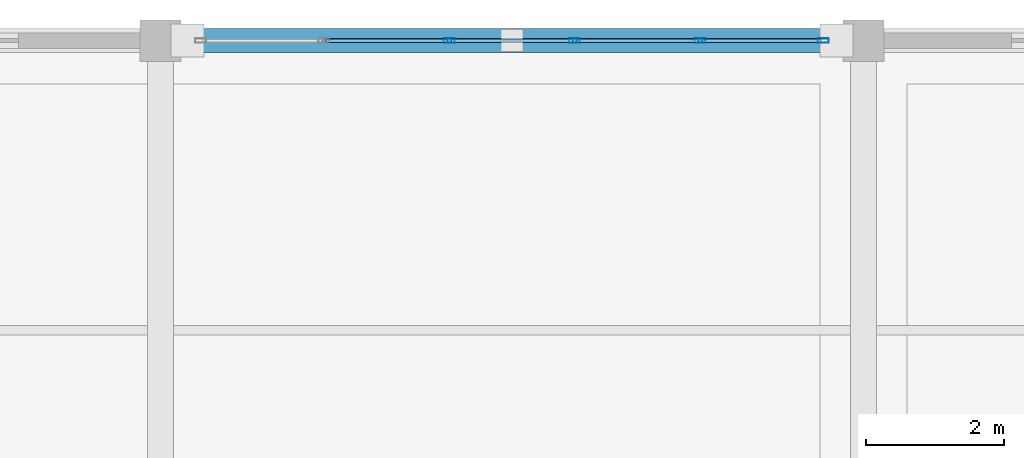
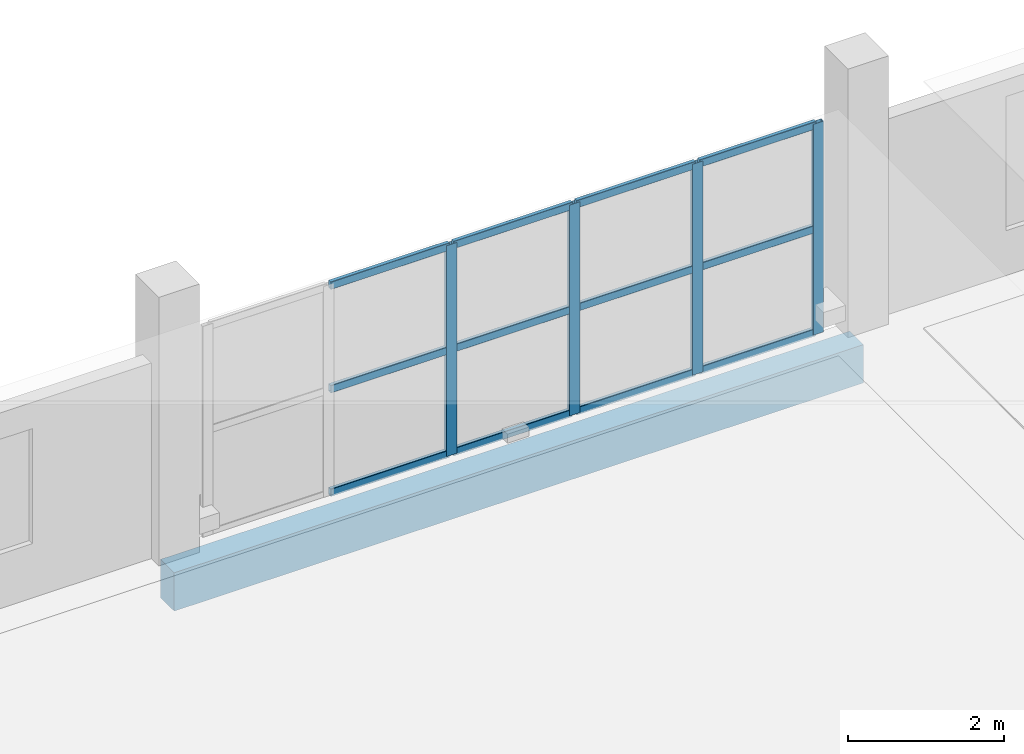
# One storey, part 15 of 24: 16 members, 1 beam, 1 element without a shape of its own.
"""IFC4 building model written with IfcOpenShell, lengths in metres."""

from ifc_helpers import new_model, si_unit, direction, frame, origin, origin_2d, place, context, subcontext, project, spatial, rectangle, hollow_rectangle, extrude, material, material_profile, profile_set, type_object, element, aggregate, save


model = new_model("IFC4")

# Units and contexts
model_context = context("Model", 3, precision=1e-05, world=origin(), true_north=direction((0.0, 1.0)))
body_context = subcontext(model_context, "Body", "Model", "MODEL_VIEW")
ifc_project = project(units=[si_unit("LENGTHUNIT", "METRE"), si_unit("AREAUNIT", "SQUARE_METRE"), si_unit("VOLUMEUNIT", "CUBIC_METRE"), si_unit("PLANEANGLEUNIT", "RADIAN"), si_unit("MASSUNIT", "GRAM", prefix="KILO")], contexts=[model_context])

# Site, building, storey
site_placement = place(None, origin())
site = spatial("IfcSite", under=ifc_project, at=site_placement, CompositionType="ELEMENT")
building_placement = place(site_placement, origin())
building = spatial("IfcBuilding", under=site, at=building_placement, Name="Brelvane Convention Centre", CompositionType="ELEMENT")
storey_placement = place(building_placement, frame((0.0, 0.0, 19.199951171875)))
storey = spatial("IfcBuildingStorey", under=building, at=storey_placement, Name="L04", CompositionType="ELEMENT", Elevation=19.199951171875)

# Curtain wall, members
ifc_material_1 = material(Name="Anodised Aluminium Alloy 6063-T6", Category="aluminium")
curtain_wall_type = type_object("IfcCurtainWallType", Name="Curtain Wall CW-BOUL", PredefinedType="USERDEFINED", material=ifc_material_1)
curtain_wall_placement = place(storey_placement, origin())
curtain_wall = element("IfcCurtainWall", 1, at=curtain_wall_placement, inside=storey, type_object=curtain_wall_type, Name="Curtain Wall CW-BOUL L04-V4N-06", ObjectType="UNITISED", PredefinedType="USERDEFINED")
ifc_material_2 = material(Name="Anodised Aluminium Alloy 6063-T6", Category="aluminium")
ifc_material_profile_1 = material_profile(ifc_material_2, hollow_rectangle(XDim=0.06494140625, YDim=0.159912109375, WallThickness=0.00390625, InnerFilletRadius=0.00390625, OuterFilletRadius=0.008056640625, at=origin_2d()), Name="ALU-M 160x65x4.0")
ifc_profile_set_1 = profile_set([ifc_material_profile_1], Name="Anodised Aluminium Alloy 6063-T6")
member_type_1 = type_object("IfcMemberType", Name="Curtain Mullion CW-M3", PredefinedType="MULLION", material=ifc_profile_set_1)
member_1_placement = place(storey_placement, frame((55.18994140625, 144.0, 0.0), z_axis=(0.0, 0.0, 1.0), x_axis=(0.0, 1.0, 0.0)))
member_1 = element("IfcMember", 2, at=member_1_placement, type_object=member_type_1, Name="CW-BOUL mullion 3", PredefinedType="MULLION", context=body_context, shape_type="SweptSolid", body=[
    extrude(hollow_rectangle(XDim=0.06494140625, YDim=0.159912109375, WallThickness=0.00390625, InnerFilletRadius=0.00390625, OuterFilletRadius=0.008056640625, at=origin_2d()), origin(), (0.0, 0.0, 1.0), 3.300048828125),
])
member_2_placement = place(storey_placement, frame((57.010009765625, 144.0, 0.0), z_axis=(0.0, 0.0, 1.0), x_axis=(0.0, 1.0, 0.0)))
member_2 = element("IfcMember", 3, at=member_2_placement, type_object=member_type_1, Name="CW-BOUL mullion 4", PredefinedType="MULLION", context=body_context, shape_type="SweptSolid", body=[
    extrude(hollow_rectangle(XDim=0.06494140625, YDim=0.159912109375, WallThickness=0.00390625, InnerFilletRadius=0.00390625, OuterFilletRadius=0.008056640625, at=origin_2d()), origin(), (0.0, 0.0, 1.0), 3.300048828125),
])
member_3_placement = place(storey_placement, frame((58.830078125, 144.0, 0.0), z_axis=(0.0, 0.0, 1.0), x_axis=(0.0, 1.0, 0.0)))
member_3 = element("IfcMember", 4, at=member_3_placement, type_object=member_type_1, Name="CW-BOUL mullion 5", PredefinedType="MULLION", context=body_context, shape_type="SweptSolid", body=[
    extrude(hollow_rectangle(XDim=0.06494140625, YDim=0.159912109375, WallThickness=0.00390625, InnerFilletRadius=0.00390625, OuterFilletRadius=0.008056640625, at=origin_2d()), origin(), (0.0, 0.0, 1.0), 3.300048828125),
])
member_4_placement = place(storey_placement, frame((60.617431640625, 144.0, 0.0), z_axis=(0.0, 0.0, 1.0), x_axis=(0.0, 1.0, 0.0)))
member_4 = element("IfcMember", 5, at=member_4_placement, type_object=member_type_1, Name="CW-BOUL mullion 6", PredefinedType="MULLION", context=body_context, shape_type="SweptSolid", body=[
    extrude(hollow_rectangle(XDim=0.06494140625, YDim=0.159912109375, WallThickness=0.00390625, InnerFilletRadius=0.00390625, OuterFilletRadius=0.008056640625, at=origin_2d()), origin(), (0.0, 0.0, 1.0), 3.300048828125),
])
ifc_material_3 = material(Name="Anodised Aluminium Alloy 6063-T6", Category="aluminium")
ifc_material_profile_2 = material_profile(ifc_material_3, hollow_rectangle(XDim=0.06005859375, YDim=0.1201171875, WallThickness=0.00390625, InnerFilletRadius=0.00390625, OuterFilletRadius=0.008056640625, at=origin_2d()), Name="ALU-T 120x60x4.0")
ifc_profile_set_2 = profile_set([ifc_material_profile_2], Name="Anodised Aluminium Alloy 6063-T6")
member_type_2 = type_object("IfcMemberType", Name="Curtain Transom CW-T3", PredefinedType="USERDEFINED", material=ifc_profile_set_2)
member_5_placement = place(storey_placement, frame((53.402587890625, 144.0, 0.030029296875), z_axis=(1.0, 0.0, 0.0), x_axis=(0.0, 1.0, 0.0)))
member_5 = element("IfcMember", 6, at=member_5_placement, type_object=member_type_2, Name="CW-BOUL transom 2.1", ObjectType="TRANSOM", PredefinedType="USERDEFINED", context=body_context, shape_type="SweptSolid", body=[
    extrude(hollow_rectangle(XDim=0.06005859375, YDim=0.1201171875, WallThickness=0.00390625, InnerFilletRadius=0.00390625, OuterFilletRadius=0.008056640625, at=origin_2d()), origin(), (0.0, 0.0, 1.0), 1.7548828125),
])
member_6_placement = place(storey_placement, frame((53.402587890625, 144.0, 1.650146484375), z_axis=(1.0, 0.0, 0.0), x_axis=(0.0, 1.0, 0.0)))
member_6 = element("IfcMember", 7, at=member_6_placement, type_object=member_type_2, Name="CW-BOUL transom 2.2", ObjectType="TRANSOM", PredefinedType="USERDEFINED", context=body_context, shape_type="SweptSolid", body=[
    extrude(hollow_rectangle(XDim=0.06005859375, YDim=0.1201171875, WallThickness=0.00390625, InnerFilletRadius=0.00390625, OuterFilletRadius=0.008056640625, at=origin_2d()), origin(), (0.0, 0.0, 1.0), 1.7548828125),
])
member_7_placement = place(storey_placement, frame((53.402587890625, 144.0, 3.27001953125), z_axis=(1.0, 0.0, 0.0), x_axis=(0.0, 1.0, 0.0)))
member_7 = element("IfcMember", 8, at=member_7_placement, type_object=member_type_2, Name="CW-BOUL transom 2.3", ObjectType="TRANSOM", PredefinedType="USERDEFINED", context=body_context, shape_type="SweptSolid", body=[
    extrude(hollow_rectangle(XDim=0.06005859375, YDim=0.1201171875, WallThickness=0.00390625, InnerFilletRadius=0.00390625, OuterFilletRadius=0.008056640625, at=origin_2d()), origin(), (0.0, 0.0, 1.0), 1.7548828125),
])
member_8_placement = place(storey_placement, frame((55.222412109375, 144.0, 0.030029296875), z_axis=(1.0, 0.0, 0.0), x_axis=(0.0, 1.0, 0.0)))
member_8 = element("IfcMember", 9, at=member_8_placement, type_object=member_type_2, Name="CW-BOUL transom 3.1", ObjectType="TRANSOM", PredefinedType="USERDEFINED", context=body_context, shape_type="SweptSolid", body=[
    extrude(hollow_rectangle(XDim=0.06005859375, YDim=0.1201171875, WallThickness=0.00390625, InnerFilletRadius=0.00390625, OuterFilletRadius=0.008056640625, at=origin_2d()), origin(), (0.0, 0.0, 1.0), 1.755126953125),
])
member_9_placement = place(storey_placement, frame((55.222412109375, 144.0, 1.650146484375), z_axis=(1.0, 0.0, 0.0), x_axis=(0.0, 1.0, 0.0)))
member_9 = element("IfcMember", 10, at=member_9_placement, type_object=member_type_2, Name="CW-BOUL transom 3.2", ObjectType="TRANSOM", PredefinedType="USERDEFINED", context=body_context, shape_type="SweptSolid", body=[
    extrude(hollow_rectangle(XDim=0.06005859375, YDim=0.1201171875, WallThickness=0.00390625, InnerFilletRadius=0.00390625, OuterFilletRadius=0.008056640625, at=origin_2d()), origin(), (0.0, 0.0, 1.0), 1.755126953125),
])
member_10_placement = place(storey_placement, frame((55.222412109375, 144.0, 3.27001953125), z_axis=(1.0, 0.0, 0.0), x_axis=(0.0, 1.0, 0.0)))
member_10 = element("IfcMember", 11, at=member_10_placement, type_object=member_type_2, Name="CW-BOUL transom 3.3", ObjectType="TRANSOM", PredefinedType="USERDEFINED", context=body_context, shape_type="SweptSolid", body=[
    extrude(hollow_rectangle(XDim=0.06005859375, YDim=0.1201171875, WallThickness=0.00390625, InnerFilletRadius=0.00390625, OuterFilletRadius=0.008056640625, at=origin_2d()), origin(), (0.0, 0.0, 1.0), 1.755126953125),
])
member_11_placement = place(storey_placement, frame((57.04248046875, 144.0, 0.030029296875), z_axis=(1.0, 0.0, 0.0), x_axis=(0.0, 1.0, 0.0)))
member_11 = element("IfcMember", 12, at=member_11_placement, type_object=member_type_2, Name="CW-BOUL transom 4.1", ObjectType="TRANSOM", PredefinedType="USERDEFINED", context=body_context, shape_type="SweptSolid", body=[
    extrude(hollow_rectangle(XDim=0.06005859375, YDim=0.1201171875, WallThickness=0.00390625, InnerFilletRadius=0.00390625, OuterFilletRadius=0.008056640625, at=origin_2d()), origin(), (0.0, 0.0, 1.0), 1.755126953125),
])
member_12_placement = place(storey_placement, frame((57.04248046875, 144.0, 1.650146484375), z_axis=(1.0, 0.0, 0.0), x_axis=(0.0, 1.0, 0.0)))
member_12 = element("IfcMember", 13, at=member_12_placement, type_object=member_type_2, Name="CW-BOUL transom 4.2", ObjectType="TRANSOM", PredefinedType="USERDEFINED", context=body_context, shape_type="SweptSolid", body=[
    extrude(hollow_rectangle(XDim=0.06005859375, YDim=0.1201171875, WallThickness=0.00390625, InnerFilletRadius=0.00390625, OuterFilletRadius=0.008056640625, at=origin_2d()), origin(), (0.0, 0.0, 1.0), 1.755126953125),
])
member_13_placement = place(storey_placement, frame((57.04248046875, 144.0, 3.27001953125), z_axis=(1.0, 0.0, 0.0), x_axis=(0.0, 1.0, 0.0)))
member_13 = element("IfcMember", 14, at=member_13_placement, type_object=member_type_2, Name="CW-BOUL transom 4.3", ObjectType="TRANSOM", PredefinedType="USERDEFINED", context=body_context, shape_type="SweptSolid", body=[
    extrude(hollow_rectangle(XDim=0.06005859375, YDim=0.1201171875, WallThickness=0.00390625, InnerFilletRadius=0.00390625, OuterFilletRadius=0.008056640625, at=origin_2d()), origin(), (0.0, 0.0, 1.0), 1.755126953125),
])
member_14_placement = place(storey_placement, frame((58.862548828125, 144.0, 0.030029296875), z_axis=(1.0, 0.0, 0.0), x_axis=(0.0, 1.0, 0.0)))
member_14 = element("IfcMember", 15, at=member_14_placement, type_object=member_type_2, Name="CW-BOUL transom 5.1", ObjectType="TRANSOM", PredefinedType="USERDEFINED", context=body_context, shape_type="SweptSolid", body=[
    extrude(hollow_rectangle(XDim=0.06005859375, YDim=0.1201171875, WallThickness=0.00390625, InnerFilletRadius=0.00390625, OuterFilletRadius=0.008056640625, at=origin_2d()), origin(), (0.0, 0.0, 1.0), 1.722412109375),
])
member_15_placement = place(storey_placement, frame((58.862548828125, 144.0, 1.650146484375), z_axis=(1.0, 0.0, 0.0), x_axis=(0.0, 1.0, 0.0)))
member_15 = element("IfcMember", 16, at=member_15_placement, type_object=member_type_2, Name="CW-BOUL transom 5.2", ObjectType="TRANSOM", PredefinedType="USERDEFINED", context=body_context, shape_type="SweptSolid", body=[
    extrude(hollow_rectangle(XDim=0.06005859375, YDim=0.1201171875, WallThickness=0.00390625, InnerFilletRadius=0.00390625, OuterFilletRadius=0.008056640625, at=origin_2d()), origin(), (0.0, 0.0, 1.0), 1.722412109375),
])
member_16_placement = place(storey_placement, frame((58.862548828125, 144.0, 3.27001953125), z_axis=(1.0, 0.0, 0.0), x_axis=(0.0, 1.0, 0.0)))
member_16 = element("IfcMember", 17, at=member_16_placement, type_object=member_type_2, Name="CW-BOUL transom 5.3", ObjectType="TRANSOM", PredefinedType="USERDEFINED", context=body_context, shape_type="SweptSolid", body=[
    extrude(hollow_rectangle(XDim=0.06005859375, YDim=0.1201171875, WallThickness=0.00390625, InnerFilletRadius=0.00390625, OuterFilletRadius=0.008056640625, at=origin_2d()), origin(), (0.0, 0.0, 1.0), 1.722412109375),
])
aggregate(curtain_wall, [member_1, member_2, member_3, member_4, member_5, member_6, member_7, member_8, member_9, member_10, member_11, member_12, member_13, member_14, member_15, member_16])

# Beam
ifc_material_4 = material(Name="Concrete M40", Category="concrete")
ifc_material_profile_3 = material_profile(ifc_material_4, rectangle(XDim=0.35009765625, YDim=0.60009765625, at=origin_2d()), Name="RC 350x600")
ifc_profile_set_3 = profile_set([ifc_material_profile_3], Name="Concrete M40")
beam_type = type_object("IfcBeamType", Name="RC Spandrel SP-RC2 (RC 350x600)", PredefinedType="SPANDREL", material=ifc_profile_set_3)
beam_placement = place(storey_placement, frame((51.0, 144.0, -0.58984375), z_axis=(1.0, 0.0, 0.0), x_axis=(0.0, 1.0, 0.0)))
element("IfcBeam", 18, at=beam_placement, inside=storey, type_object=beam_type, Name="L04 Beam 6-7/Q", PredefinedType="SPANDREL", context=body_context, shape_type="SweptSolid", body=[
    extrude(rectangle(XDim=0.35009765625, YDim=0.60009765625, at=origin_2d()), origin(), (0.0, 0.0, 1.0), 10.199951171875),
])

save(model, "model.ifc")
